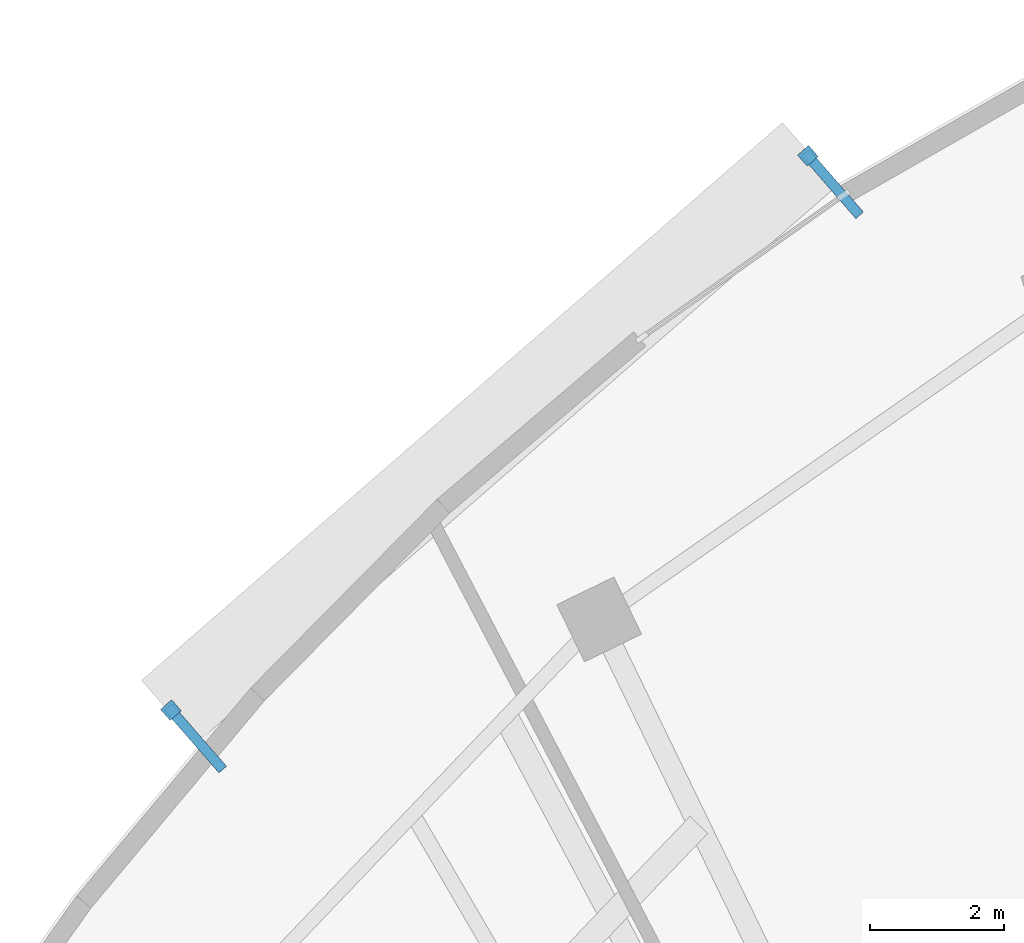
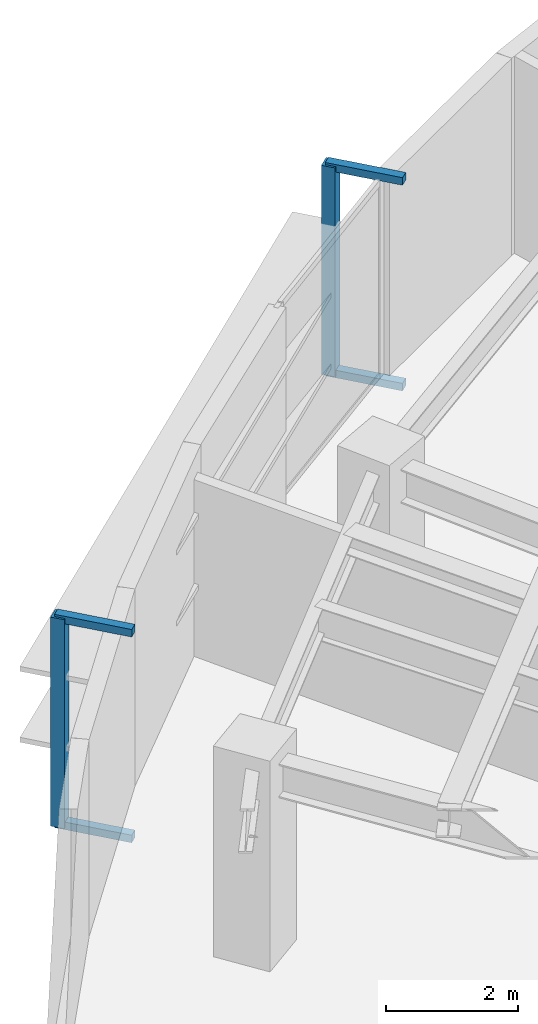
# One storey, part 11 of 12: 6 discrete accessories.
"""IFC4 building model written with IfcOpenShell, lengths in metres."""

from ifc_helpers import new_model, si_unit, direction, frame, origin, origin_2d, place, context, subcontext, project, spatial, rectangle, extrude, source, transform, mapped, material, type_object, type_shapes, element, save


model = new_model("IFC4")

# Units and contexts
model_context = context("Model", 3, precision=1e-05, world=origin(), true_north=direction((0.0, 1.0)))
body_context = subcontext(model_context, "Body", "Model", "MODEL_VIEW")
ifc_project = project(units=[si_unit("LENGTHUNIT", "METRE"), si_unit("AREAUNIT", "SQUARE_METRE"), si_unit("VOLUMEUNIT", "CUBIC_METRE"), si_unit("PLANEANGLEUNIT", "RADIAN"), si_unit("MASSUNIT", "GRAM", prefix="KILO")], contexts=[model_context])

# Site, building, storey
site_placement = place(None, origin())
site = spatial("IfcSite", under=ifc_project, at=site_placement, CompositionType="ELEMENT")
building_placement = place(site_placement, origin())
building = spatial("IfcBuilding", under=site, at=building_placement, Name="Breltana Convention Tower", CompositionType="ELEMENT")
storey_placement = place(building_placement, frame((0.0, 0.0, 246.89990234375)))
storey = spatial("IfcBuildingStorey", under=building, at=storey_placement, Name="L60", CompositionType="ELEMENT", Elevation=246.89990234375)

# Discrete accessories
ifc_material = material(Name="Steel S355", Category="steel")
discrete_accessory_type_1 = type_object("IfcDiscreteAccessoryType", Name="ACC-DSF-BRACKET-150", PredefinedType="BRACKET", material=ifc_material)
shared_shape_1 = source(origin(), body_context, "Body", "SweptSolid", [
    extrude(rectangle(XDim=1.239990234375, YDim=0.14990234375, at=origin_2d()), origin(), (0.0, 0.0, 1.0), 0.139892578125),
])
type_shapes(discrete_accessory_type_1, [shared_shape_1])
for number, where, z_axis, x_axis, name in (
    (1, (19.84619140625, 65.84716796875, -0.15966796875), (0.0, 0.0, 1.0), (-0.656450428512, 0.754369163544, 0.0), "L60 double-skin slab stand-off bracket 1.1B"),
    (2, (19.84619140625, 65.84716796875, 3.650390625), (0.0, 0.0, 1.0), (-0.656450428512, 0.754369163544, 0.0), "L60 double-skin slab stand-off bracket 1.1T"),
    (3, (29.37841796875, 74.14208984375, -0.15966796875), (0.0, 0.0, 1.0), (-0.656450428512, 0.754369163544, 0.0), "L60 double-skin slab stand-off bracket 1.2B"),
    (4, (29.37841796875, 74.14208984375, 3.650390625), (0.0, 0.0, 1.0), (-0.656450428512, 0.754369163544, 0.0), "L60 double-skin slab stand-off bracket 1.2T"),
):
    element("IfcDiscreteAccessory", number, at=place(storey_placement, frame(where, z_axis=z_axis, x_axis=x_axis)), inside=storey, type_object=discrete_accessory_type_1, Name=name, PredefinedType="BRACKET", context=body_context, shape_type="MappedRepresentation", body=[
        mapped(shared_shape_1, transform((0.0, 0.0, 0.0), scale=1.0)),
    ])
discrete_accessory_type_2 = type_object("IfcDiscreteAccessoryType", Name="ACC-DSF-CARRIER-150", PredefinedType="BRACKET", material=ifc_material)
shared_shape_2 = source(origin(), body_context, "Body", "SweptSolid", [
    extrude(rectangle(XDim=0.219970703125, YDim=0.219970703125, at=origin_2d()), origin(), (0.0, 0.0, 1.0), 3.8701171875),
])
for number, where, z_axis, x_axis, name in (
    (5, (19.478515625, 66.26953125, -0.119873046875), (0.0, 0.0, 1.0), (-0.656450428512, 0.754369163544, 0.0), "L60 double-skin outer vertical carrier 1.1"),
    (6, (29.0107421875, 74.564453125, -0.119873046875), (0.0, 0.0, 1.0), (-0.656450428512, 0.754369163544, 0.0), "L60 double-skin outer vertical carrier 1.2"),
):
    element("IfcDiscreteAccessory", number, at=place(storey_placement, frame(where, z_axis=z_axis, x_axis=x_axis)), inside=storey, type_object=discrete_accessory_type_2, Name=name, PredefinedType="BRACKET", context=body_context, shape_type="MappedRepresentation", body=[
        mapped(shared_shape_2, transform((0.0, 0.0, 0.0), scale=1.0)),
    ])

save(model, "model.ifc")
